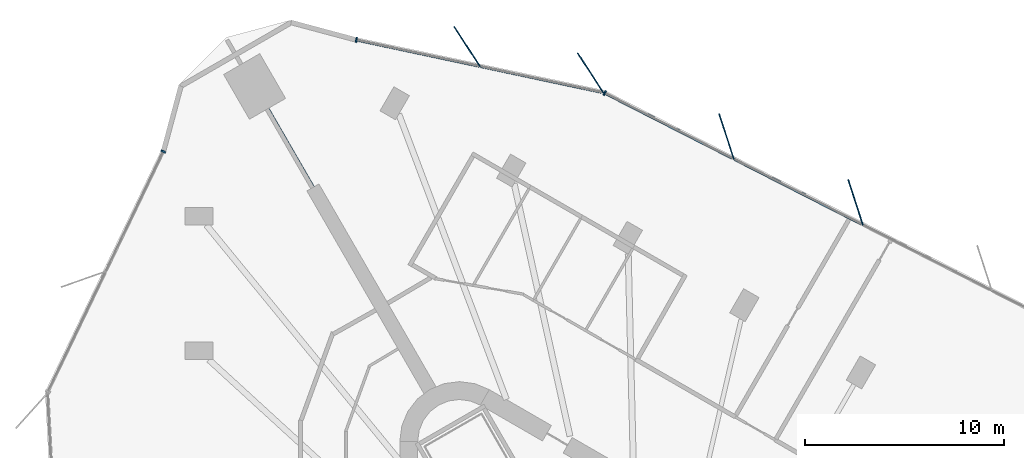
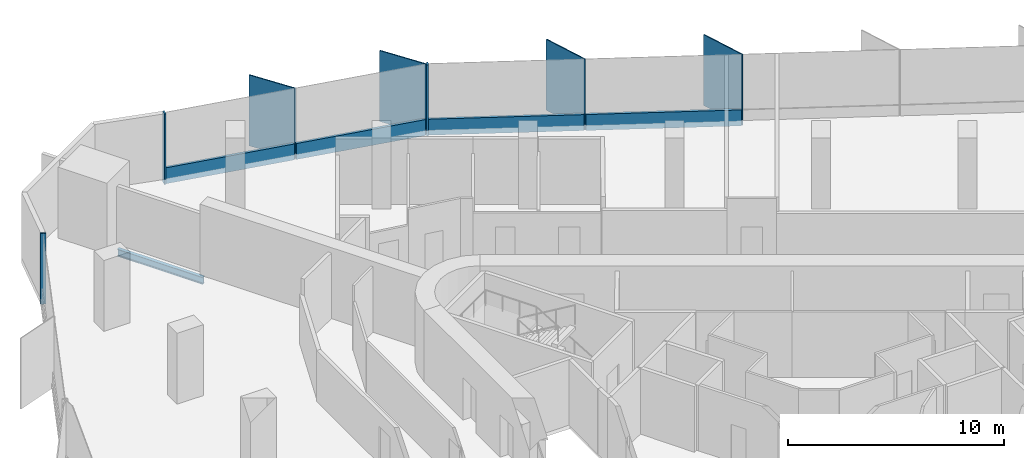
# One storey, part 6 of 14: 11 members, 1 beam, 3 elements without a shape of their own.
"""IFC4 building model written with IfcOpenShell, lengths in metres."""

from ifc_helpers import new_model, si_unit, direction, frame, origin, origin_2d, place, context, subcontext, project, spatial, rectangle, i_section, extrude, material, material_profile, profile_set, type_object, element, aggregate, save


model = new_model("IFC4")

# Units and contexts
model_context = context("Model", 3, precision=1e-05, world=origin(), true_north=direction((0.0, 1.0)))
body_context = subcontext(model_context, "Body", "Model", "MODEL_VIEW")
ifc_project = project(units=[si_unit("LENGTHUNIT", "METRE"), si_unit("AREAUNIT", "SQUARE_METRE"), si_unit("VOLUMEUNIT", "CUBIC_METRE"), si_unit("PLANEANGLEUNIT", "RADIAN"), si_unit("MASSUNIT", "GRAM", prefix="KILO")], contexts=[model_context])

# Site, building, storey
site_placement = place(None, origin())
site = spatial("IfcSite", under=ifc_project, at=site_placement, CompositionType="ELEMENT")
building_placement = place(site_placement, origin())
building = spatial("IfcBuilding", under=site, at=building_placement, Name="Tanit Gate Tower", CompositionType="ELEMENT")
storey_placement = place(building_placement, frame((0.0, 0.0, 209.199951171875)))
storey = spatial("IfcBuildingStorey", under=building, at=storey_placement, Name="L46", CompositionType="ELEMENT", Elevation=209.199951171875)

# Curtain wall, members
ifc_material_1 = material(Name="Aluminium bronze anodised and glass", Category="aluminium")
curtain_wall_type = type_object("IfcCurtainWallType", Name="Curtain wall typical mid", PredefinedType="NOTDEFINED", material=ifc_material_1)
curtain_wall_1_placement = place(storey_placement, origin())
curtain_wall_1 = element("IfcCurtainWall", 1, at=curtain_wall_1_placement, inside=storey, type_object=curtain_wall_type, Name="Curtain wall L46 NE2", PredefinedType="NOTDEFINED")
ifc_material_2 = material(Name="Aluminium bronze anodised", Category="aluminium")
ifc_material_profile_1 = material_profile(ifc_material_2, rectangle(XDim=2.39990234375, YDim=0.055908203125, at=origin_2d()), Name="56x2400 bronze fin mullion")
ifc_profile_set_1 = profile_set([ifc_material_profile_1], Name="Aluminium bronze anodised")
member_type_1 = type_object("IfcMemberType", Name="FIN MULLION 56x2400 bronze", PredefinedType="MULLION", material=ifc_profile_set_1)
member_1_placement = place(storey_placement, frame((10.826171875, 27.78125, -0.300048828125), z_axis=(0.0, 0.0, 1.0), x_axis=(0.308699841109, -0.95115950718, 0.0)))
member_1 = element("IfcMember", 2, at=member_1_placement, type_object=member_type_1, Name="Fin mullion L46 NE2.4", PredefinedType="MULLION", context=body_context, shape_type="SweptSolid", body=[
    extrude(rectangle(XDim=2.39990234375, YDim=0.055908203125, at=origin_2d()), origin(), (0.0, 0.0, 1.0), 4.0),
])
member_2_placement = place(storey_placement, frame((4.33544921875, 31.091064453125, -0.300048828125), z_axis=(0.0, 0.0, 1.0), x_axis=(0.308699841109, -0.95115950718, 0.0)))
member_2 = element("IfcMember", 3, at=member_2_placement, type_object=member_type_1, Name="Fin mullion L46 NE2.5", PredefinedType="MULLION", context=body_context, shape_type="SweptSolid", body=[
    extrude(rectangle(XDim=2.39990234375, YDim=0.055908203125, at=origin_2d()), origin(), (0.0, 0.0, 1.0), 4.0),
])

curtain_wall_2_placement = place(storey_placement, origin())
curtain_wall_2 = element("IfcCurtainWall", 4, at=curtain_wall_2_placement, inside=storey, type_object=curtain_wall_type, Name="Curtain wall L46 NE3", PredefinedType="NOTDEFINED")
member_3_placement = place(storey_placement, frame((-2.50732421875, 34.295166015625, -0.300048828125), z_axis=(0.0, 0.0, 1.0), x_axis=(0.544111668677, -0.839012808013, 0.0)))
member_3 = element("IfcMember", 5, at=member_3_placement, type_object=member_type_1, Name="Fin mullion L46 NE3.1", PredefinedType="MULLION", context=body_context, shape_type="SweptSolid", body=[
    extrude(rectangle(XDim=2.39990234375, YDim=0.055908203125, at=origin_2d()), origin(), (0.0, 0.0, 1.0), 4.0),
])
member_4_placement = place(storey_placement, frame((-8.7177734375, 35.619384765625, -0.300048828125), z_axis=(0.0, 0.0, 1.0), x_axis=(0.544111668677, -0.839012808013, 0.0)))
member_4 = element("IfcMember", 6, at=member_4_placement, type_object=member_type_1, Name="Fin mullion L46 NE3.2", PredefinedType="MULLION", context=body_context, shape_type="SweptSolid", body=[
    extrude(rectangle(XDim=2.39990234375, YDim=0.055908203125, at=origin_2d()), origin(), (0.0, 0.0, 1.0), 4.0),
])

# Member
ifc_material_3 = material(Name="Aluminium bronze anodised", Category="aluminium")
ifc_material_profile_2 = material_profile(ifc_material_3, rectangle(XDim=0.260009765625, YDim=0.080078125, at=origin_2d()), Name="80x260 bronze mullion")
ifc_profile_set_2 = profile_set([ifc_material_profile_2], Name="Aluminium bronze anodised")
member_type_2 = type_object("IfcMemberType", Name="Mullion 80x260 typical mid", PredefinedType="MULLION", material=ifc_profile_set_2)
member_5_placement = place(storey_placement, frame((-1.791259765625, 33.27978515625, -0.300048828125), z_axis=(0.0, 0.0, 1.0), x_axis=(-0.454287586518, -0.890855088516, 0.0)))
member_5 = element("IfcMember", 7, at=member_5_placement, type_object=member_type_2, Name="Mullion L46 NE2.6", PredefinedType="MULLION", context=body_context, shape_type="SweptSolid", body=[
    extrude(rectangle(XDim=0.260009765625, YDim=0.080078125, at=origin_2d()), origin(), (0.0, 0.0, 1.0), 4.0),
])

member_6_placement = place(storey_placement, frame((-14.28662109375, 35.954345703125, -0.300048828125), z_axis=(0.0, 0.0, 1.0), x_axis=(-0.208526595404, -0.978016696692, 0.0)))
member_6 = element("IfcMember", 8, at=member_6_placement, type_object=member_type_2, Name="Mullion L46 NE3.3", PredefinedType="MULLION", context=body_context, shape_type="SweptSolid", body=[
    extrude(rectangle(XDim=0.260009765625, YDim=0.080078125, at=origin_2d()), origin(), (0.0, 0.0, 1.0), 4.0),
])

# Curtain wall, member
curtain_wall_3_placement = place(storey_placement, origin())
curtain_wall_3 = element("IfcCurtainWall", 9, at=curtain_wall_3_placement, inside=storey, type_object=curtain_wall_type, Name="Curtain wall L46 W1", PredefinedType="NOTDEFINED")
member_7_placement = place(storey_placement, frame((-24.001220703125, 30.343994140625, -0.300048828125), z_axis=(0.0, 0.0, 1.0), x_axis=(0.90136651236, -0.433057052125, 0.0)))
member_7 = element("IfcMember", 10, at=member_7_placement, type_object=member_type_2, Name="Mullion L46 W1.1", PredefinedType="MULLION", context=body_context, shape_type="SweptSolid", body=[
    extrude(rectangle(XDim=0.260009765625, YDim=0.080078125, at=origin_2d()), origin(), (0.0, 0.0, 1.0), 4.0),
])
aggregate(curtain_wall_3, [member_7])

# Beam
ifc_material_4 = material(Name="Steel S355", Category="steel")
ifc_material_profile_3 = material_profile(ifc_material_4, i_section(OverallWidth=0.179931640625, OverallDepth=0.39990234375, WebThickness=0.008544921875, FlangeThickness=0.013427734375, FilletRadius=0.02099609375, at=origin_2d()), Name="IPE 400")
ifc_profile_set_3 = profile_set([ifc_material_profile_3], Name="Steel S355")
beam_type = type_object("IfcBeamType", Name="RADIAL GIRDER IPE 400 S355", PredefinedType="BEAM", material=ifc_profile_set_3)
beam_placement = place(storey_placement, frame((-18.755615234375, 32.485595703125, -0.5), z_axis=(0.500013963156, -0.866017342002, 0.0), x_axis=(0.866017342002, 0.500013963156, 0.0)))
element("IfcBeam", 11, at=beam_placement, inside=storey, type_object=beam_type, Name="RADIAL GIRDER", PredefinedType="BEAM", context=body_context, shape_type="SweptSolid", body=[
    extrude(i_section(OverallWidth=0.179931640625, OverallDepth=0.39990234375, WebThickness=0.008544921875, FlangeThickness=0.013427734375, FilletRadius=0.02099609375, at=origin_2d()), origin(), (0.0, 0.0, 1.0), 4.567138671875),
])

# Member
ifc_material_5 = material(Name="Aluminium bronze anodised", Category="aluminium")
ifc_material_profile_4 = material_profile(ifc_material_5, rectangle(XDim=0.139892578125, YDim=0.89990234375, at=origin_2d()), Name="140x900 bronze transom")
ifc_profile_set_4 = profile_set([ifc_material_profile_4], Name="Aluminium bronze anodised")
member_type_3 = type_object("IfcMemberType", Name="Transom 140x900 typical mid", PredefinedType="USERDEFINED", material=ifc_profile_set_4)
member_8_placement = place(storey_placement, frame((11.154296875, 26.67822265625, 0.150146484375), z_axis=(-0.890862057328, 0.454273920463, 0.0), x_axis=(-0.454273920463, -0.890862057328, 0.0)))
member_8 = element("IfcMember", 12, at=member_8_placement, type_object=member_type_3, Name="Transom L46 NE2.4", ObjectType="TRANSOM", PredefinedType="USERDEFINED", context=body_context, shape_type="SweptSolid", body=[
    extrude(rectangle(XDim=0.139892578125, YDim=0.89990234375, at=origin_2d()), origin(), (0.0, 0.0, 1.0), 7.205810546875),
])

member_9_placement = place(storey_placement, frame((4.663818359375, 29.988037109375, 0.150146484375), z_axis=(-0.890862057328, 0.454273920463, 0.0), x_axis=(-0.454273920463, -0.890862057328, 0.0)))
member_9 = element("IfcMember", 13, at=member_9_placement, type_object=member_type_3, Name="Transom L46 NE2.5", ObjectType="TRANSOM", PredefinedType="USERDEFINED", context=body_context, shape_type="SweptSolid", body=[
    extrude(rectangle(XDim=0.139892578125, YDim=0.89990234375, at=origin_2d()), origin(), (0.0, 0.0, 1.0), 7.205810546875),
])

aggregate(curtain_wall_1, [member_1, member_2, member_5, member_8, member_9])

member_10_placement = place(storey_placement, frame((-1.9052734375, 33.314453125, 0.150146484375), z_axis=(-0.978009360048, 0.208561002246, 0.0), x_axis=(-0.208561002246, -0.978009360048, 0.0)))
member_10 = element("IfcMember", 14, at=member_10_placement, type_object=member_type_3, Name="Transom L46 NE3.1", ObjectType="TRANSOM", PredefinedType="USERDEFINED", context=body_context, shape_type="SweptSolid", body=[
    extrude(rectangle(XDim=0.139892578125, YDim=0.89990234375, at=origin_2d()), origin(), (0.0, 0.0, 1.0), 6.269775390625),
])

member_11_placement = place(storey_placement, frame((-8.115478515625, 34.638671875, 0.150146484375), z_axis=(-0.978018995211, 0.208515814761, 0.0), x_axis=(-0.208515814761, -0.978018995211, 0.0)))
member_11 = element("IfcMember", 15, at=member_11_placement, type_object=member_type_3, Name="Transom L46 NE3.2", ObjectType="TRANSOM", PredefinedType="USERDEFINED", context=body_context, shape_type="SweptSolid", body=[
    extrude(rectangle(XDim=0.139892578125, YDim=0.89990234375, at=origin_2d()), origin(), (0.0, 0.0, 1.0), 6.27001953125),
])

aggregate(curtain_wall_2, [member_3, member_4, member_6, member_10, member_11])

save(model, "model.ifc")
